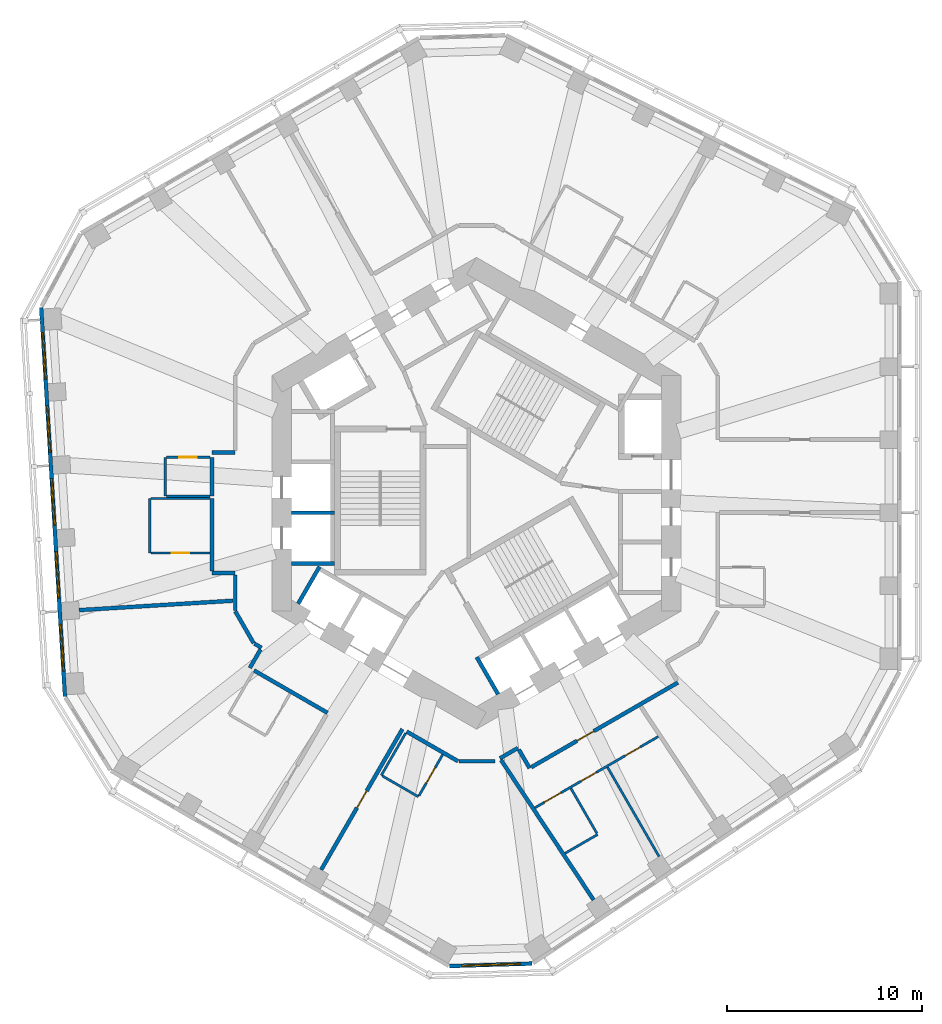
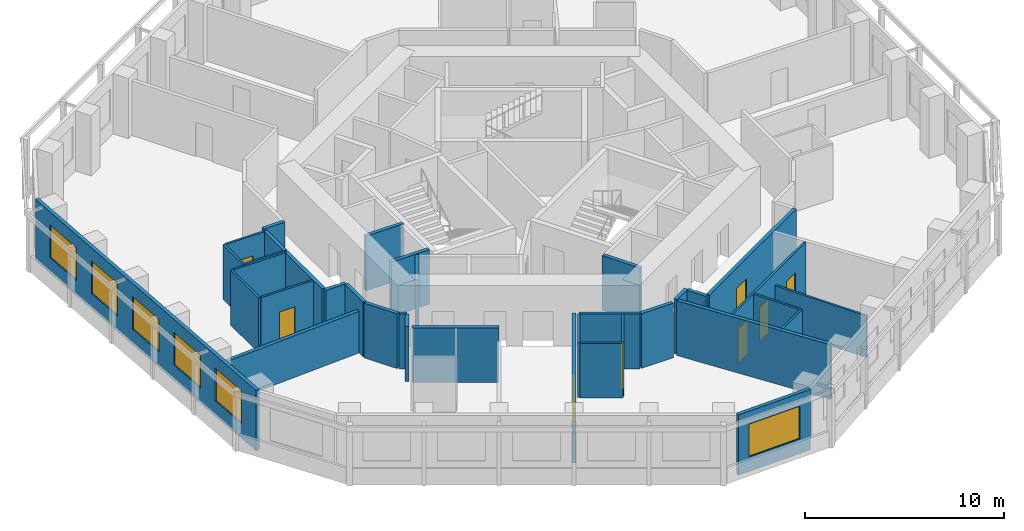
# One storey, part 4 of 11: 36 walls, 8 doors, 6 windows, 14 openings.
"""IFC4 building model written with IfcOpenShell, lengths in metres."""

from ifc_helpers import new_model, si_unit, direction, frame, frame_2d, origin, place, context, subcontext, project, spatial, rectangle, extrude, material, layer, layer_set, type_object, element, fill, save


model = new_model("IFC4")

# Units and contexts
model_context = context("Model", 3, precision=1e-05, world=origin(), true_north=direction((0.0, 1.0)))
body_context = subcontext(model_context, "Body", "Model", "MODEL_VIEW")
ifc_project = project(units=[si_unit("LENGTHUNIT", "METRE"), si_unit("AREAUNIT", "SQUARE_METRE"), si_unit("VOLUMEUNIT", "CUBIC_METRE"), si_unit("PLANEANGLEUNIT", "RADIAN"), si_unit("MASSUNIT", "GRAM", prefix="KILO")], contexts=[model_context])

# Site, building, storey
site_placement = place(None, origin())
site = spatial("IfcSite", under=ifc_project, at=site_placement, CompositionType="ELEMENT")
building_placement = place(site_placement, origin())
building = spatial("IfcBuilding", under=site, at=building_placement, Name="Vanh Sen Convention Tower", CompositionType="ELEMENT")
storey_placement = place(building_placement, frame((0.0, 0.0, 202.10009765625)))
storey = spatial("IfcBuildingStorey", under=building, at=storey_placement, Name="L50", CompositionType="ELEMENT", Elevation=202.10009765625)

# Walls
ifc_material_1 = material(Name="Moisture-resistant gypsum board on steel studs", Category="steel")
ifc_layer_1 = layer(ifc_material_1, 0.1201171875)
ifc_layer_set_1 = layer_set([ifc_layer_1], Name="Moisture-resistant gypsum board on steel studs")
wall_type_1 = type_object("IfcWallType", Name="Bathroom partition 120", PredefinedType="PARTITIONING", material=ifc_layer_set_1)
wall_1_placement = place(storey_placement, frame((-16.801025390625, -3.069091796875, 0.0), z_axis=(0.0, 0.0, 1.0), x_axis=(0.0, 1.0, 0.0)))
element("IfcWall", 1, at=wall_1_placement, inside=storey, type_object=wall_type_1, Name="Bathroom partition 120", PredefinedType="PARTITIONING", context=body_context, shape_type="SweptSolid", body=[
    extrude(rectangle(XDim=2.800048828125, YDim=0.1201171875, at=frame_2d((1.39990234375, 0.0))), origin(), (0.0, 0.0, 1.0), 3.349853515625),
])
wall_2_placement = place(storey_placement, frame((-16.740966796875, -0.26904296875, 0.0), z_axis=(0.0, 0.0, 1.0), x_axis=(1.0, 0.0, 0.0)))
element("IfcWall", 2, at=wall_2_placement, inside=storey, type_object=wall_type_1, Name="Bathroom partition 120", PredefinedType="PARTITIONING", context=body_context, shape_type="SweptSolid", body=[
    extrude(rectangle(XDim=3.0400390625, YDim=0.1201171875, at=frame_2d((1.52001953125, 0.0))), origin(), (0.0, 0.0, 1.0), 3.349853515625),
])
wall_3_placement = place(storey_placement, frame((-16.0009765625, -0.14892578125, 0.0), z_axis=(0.0, 0.0, 1.0), x_axis=(0.0, 1.0, 0.0)))
element("IfcWall", 3, at=wall_3_placement, inside=storey, type_object=wall_type_1, Name="Bathroom partition 120", PredefinedType="PARTITIONING", context=body_context, shape_type="SweptSolid", body=[
    extrude(rectangle(XDim=2.0, YDim=0.1201171875, at=frame_2d((1.0, 0.0))), origin(), (0.0, 0.0, 1.0), 3.349853515625),
])

# Wall, opening, door
wall_4_placement = place(storey_placement, frame((-15.94091796875, 1.85107421875, 0.0), z_axis=(0.0, 0.0, 1.0), x_axis=(1.0, 0.0, 0.0)))
wall_4 = element("IfcWall", 4, at=wall_4_placement, inside=storey, type_object=wall_type_1, Name="Bathroom partition 120", PredefinedType="PARTITIONING", context=body_context, shape_type="SweptSolid", body=[
    extrude(rectangle(XDim=2.239990234375, YDim=0.1201171875, at=frame_2d((1.1201171875, 0.0))), origin(), (0.0, 0.0, 1.0), 3.349853515625),
])
opening_1_placement = place(wall_4_placement, frame((0.669921875, 0.0, 0.0)))
opening_1 = element("IfcOpeningElement", 5, at=opening_1_placement, cuts=wall_4, Name="Opening D49108", PredefinedType="OPENING", context=body_context, shape_type="SweptSolid", body=[
    extrude(rectangle(XDim=0.89990234375, YDim=2.10009765625, at=frame_2d((0.449951171875, 1.050048828125))), frame((0.0, 0.070068359375, 0.0), z_axis=(0.0, -1.0, 0.0), x_axis=(1.0, 0.0, 0.0)), (0.0, 0.0, 1.0), 0.14013671875),
])
ifc_material_2 = material(Name="Laminate door in steel frame", Category="steel")
door_type_1 = type_object("IfcDoorType", Name="Room internal door 900", OperationType="SINGLE_SWING_LEFT", PredefinedType="DOOR", material=ifc_material_2)
door_1_placement = place(opening_1_placement, origin())
door_1 = element("IfcDoor", 6, at=door_1_placement, inside=storey, type_object=door_type_1, Name="Internal room door D49108", OperationType="SINGLE_SWING_LEFT", OverallHeight=2.10009765625, OverallWidth=0.89990234375, PredefinedType="DOOR", context=body_context, shape_type="SweptSolid", body=[
    extrude(rectangle(XDim=0.89990234375, YDim=2.10009765625, at=frame_2d((0.449951171875, 1.050048828125))), frame((0.0, 0.02490234375, 0.0), z_axis=(0.0, -1.0, 0.0), x_axis=(1.0, 0.0, 0.0)), (0.0, 0.0, 1.0), 0.050048828125),
])
fill(opening_1, door_1)

wall_5_placement = place(storey_placement, frame((-13.700927734375, -3.069091796875, 0.0), z_axis=(0.0, 0.0, 1.0), x_axis=(-1.0, 0.0, 0.0)))
wall_5 = element("IfcWall", 7, at=wall_5_placement, inside=storey, type_object=wall_type_1, Name="Bathroom partition 120", PredefinedType="PARTITIONING", context=body_context, shape_type="SweptSolid", body=[
    extrude(rectangle(XDim=3.0400390625, YDim=0.1201171875, at=frame_2d((1.52001953125, 0.0))), origin(), (0.0, 0.0, 1.0), 3.349853515625),
])
opening_2_placement = place(wall_5_placement, frame((1.070068359375, 0.0, 0.0)))
opening_2 = element("IfcOpeningElement", 8, at=opening_2_placement, cuts=wall_5, Name="Opening D49109", PredefinedType="OPENING", context=body_context, shape_type="SweptSolid", body=[
    extrude(rectangle(XDim=0.89990234375, YDim=2.10009765625, at=frame_2d((0.449951171875, 1.050048828125))), frame((0.0, 0.070068359375, 0.0), z_axis=(0.0, -1.0, 0.0), x_axis=(1.0, 0.0, 0.0)), (0.0, 0.0, 1.0), 0.14013671875),
])
door_2_placement = place(opening_2_placement, origin())
door_2 = element("IfcDoor", 9, at=door_2_placement, inside=storey, type_object=door_type_1, Name="Internal room door D49109", OperationType="SINGLE_SWING_LEFT", OverallHeight=2.10009765625, OverallWidth=0.89990234375, PredefinedType="DOOR", context=body_context, shape_type="SweptSolid", body=[
    extrude(rectangle(XDim=0.89990234375, YDim=2.10009765625, at=frame_2d((0.449951171875, 1.050048828125))), frame((0.0, 0.02490234375, 0.0), z_axis=(0.0, -1.0, 0.0), x_axis=(1.0, 0.0, 0.0)), (0.0, 0.0, 1.0), 0.050048828125),
])
fill(opening_2, door_2)

# Walls
wall_6_placement = place(storey_placement, frame((-13.700927734375, -0.14892578125, 0.0), z_axis=(0.0, 0.0, 1.0), x_axis=(-1.0, 0.0, 0.0)))
element("IfcWall", 10, at=wall_6_placement, inside=storey, type_object=wall_type_1, Name="Bathroom partition 120", PredefinedType="PARTITIONING", context=body_context, shape_type="SweptSolid", body=[
    extrude(rectangle(XDim=2.239990234375, YDim=0.1201171875, at=frame_2d((1.1201171875, 0.0))), origin(), (0.0, 0.0, 1.0), 3.349853515625),
])
wall_7_placement = place(storey_placement, frame((-4.89208984375, -14.49609375, 0.0), z_axis=(0.0, 0.0, 1.0), x_axis=(0.500004234368, 0.866022959057, 0.0)))
element("IfcWall", 11, at=wall_7_placement, inside=storey, type_object=wall_type_1, Name="Bathroom partition 120", PredefinedType="PARTITIONING", context=body_context, shape_type="SweptSolid", body=[
    extrude(rectangle(XDim=2.5, YDim=0.1201171875, at=frame_2d((1.25, 0.0))), origin(), (0.0, 0.0, 1.0), 3.349853515625),
])
wall_8_placement = place(storey_placement, frame((-2.98681640625, -15.59619140625, 0.0), z_axis=(0.0, 0.0, 1.0), x_axis=(-0.86600889856, 0.500028586798, 0.0)))
element("IfcWall", 12, at=wall_8_placement, inside=storey, type_object=wall_type_1, Name="Bathroom partition 120", PredefinedType="PARTITIONING", context=body_context, shape_type="SweptSolid", body=[
    extrude(rectangle(XDim=2.139892578125, YDim=0.1201171875, at=frame_2d((1.06982421875, 0.0))), origin(), (0.0, 0.0, 1.0), 3.349853515625),
])

# Wall, opening, door
wall_9_placement = place(storey_placement, frame((-1.73681640625, -13.430908203125, 0.0), z_axis=(0.0, 0.0, 1.0), x_axis=(-0.499959183527, -0.866048967903, 0.0)))
wall_9 = element("IfcWall", 13, at=wall_9_placement, inside=storey, type_object=wall_type_1, Name="Bathroom partition 120", PredefinedType="PARTITIONING", context=body_context, shape_type="SweptSolid", body=[
    extrude(rectangle(XDim=2.440185546875, YDim=0.1201171875, at=frame_2d((1.22021484375, 0.0))), origin(), (0.0, 0.0, 1.0), 3.349853515625),
])
opening_3_placement = place(wall_9_placement, frame((0.77001953125, 0.0, 0.0)))
opening_3 = element("IfcOpeningElement", 14, at=opening_3_placement, cuts=wall_9, Name="Opening D49113", PredefinedType="OPENING", context=body_context, shape_type="SweptSolid", body=[
    extrude(rectangle(XDim=0.89990234375, YDim=2.10009765625, at=frame_2d((0.449951171875, 1.050048828125))), frame((0.0, 0.070068359375, 0.0), z_axis=(0.0, -1.0, 0.0), x_axis=(1.0, 0.0, 0.0)), (0.0, 0.0, 1.0), 0.14013671875),
])
door_3_placement = place(opening_3_placement, origin())
door_3 = element("IfcDoor", 15, at=door_3_placement, inside=storey, type_object=door_type_1, Name="Internal room door D49113", OperationType="SINGLE_SWING_LEFT", OverallHeight=2.10009765625, OverallWidth=0.89990234375, PredefinedType="DOOR", context=body_context, shape_type="SweptSolid", body=[
    extrude(rectangle(XDim=0.89990234375, YDim=2.10009765625, at=frame_2d((0.449951171875, 1.050048828125))), frame((0.0, 0.02490234375, 0.0), z_axis=(0.0, -1.0, 0.0), x_axis=(1.0, 0.0, 0.0)), (0.0, 0.0, 1.0), 0.050048828125),
])
fill(opening_3, door_3)

# Wall, openings, doors
wall_10_placement = place(storey_placement, frame((3.005126953125, -16.1640625, 0.0), z_axis=(0.0, 0.0, 1.0), x_axis=(0.866018452427, 0.500012039911, 0.0)))
wall_10 = element("IfcWall", 16, at=wall_10_placement, inside=storey, type_object=wall_type_1, Name="Bathroom partition 120", PredefinedType="PARTITIONING", context=body_context, shape_type="SweptSolid", body=[
    extrude(rectangle(XDim=7.322021484375, YDim=0.1201171875, at=frame_2d((3.6611328125, 0.0))), origin(), (0.0, 0.0, 1.0), 3.349853515625),
])
opening_4_placement = place(wall_10_placement, frame((0.550048828125, 0.0, 0.0)))
opening_4 = element("IfcOpeningElement", 17, at=opening_4_placement, cuts=wall_10, Name="Opening D49115", PredefinedType="OPENING", context=body_context, shape_type="SweptSolid", body=[
    extrude(rectangle(XDim=1.0, YDim=2.10009765625, at=frame_2d((0.5, 1.050048828125))), frame((0.0, 0.070068359375, 0.0), z_axis=(0.0, -1.0, 0.0), x_axis=(1.0, 0.0, 0.0)), (0.0, 0.0, 1.0), 0.14013671875),
])
opening_5_placement = place(wall_10_placement, frame((2.735595703125, 0.0, 0.0)))
opening_5 = element("IfcOpeningElement", 18, at=opening_5_placement, cuts=wall_10, Name="Opening D49116", PredefinedType="OPENING", context=body_context, shape_type="SweptSolid", body=[
    extrude(rectangle(XDim=0.89990234375, YDim=2.10009765625, at=frame_2d((0.449951171875, 1.050048828125))), frame((0.0, 0.070068359375, 0.0), z_axis=(0.0, -1.0, 0.0), x_axis=(1.0, 0.0, 0.0)), (0.0, 0.0, 1.0), 0.14013671875),
])
opening_6_placement = place(wall_10_placement, frame((5.3466796875, 0.0, 0.0)))
opening_6 = element("IfcOpeningElement", 19, at=opening_6_placement, cuts=wall_10, Name="Opening D49117", PredefinedType="OPENING", context=body_context, shape_type="SweptSolid", body=[
    extrude(rectangle(XDim=0.89990234375, YDim=2.10009765625, at=frame_2d((0.449951171875, 1.050048828125))), frame((0.0, 0.070068359375, 0.0), z_axis=(0.0, -1.0, 0.0), x_axis=(1.0, 0.0, 0.0)), (0.0, 0.0, 1.0), 0.14013671875),
])
door_type_2 = type_object("IfcDoorType", Name="Accessible WC door 1000", OperationType="SINGLE_SWING_LEFT", PredefinedType="DOOR", material=ifc_material_2)
door_4_placement = place(opening_4_placement, origin())
door_4 = element("IfcDoor", 20, at=door_4_placement, inside=storey, type_object=door_type_2, Name="Accessible WC door D49115", OperationType="SINGLE_SWING_LEFT", OverallHeight=2.10009765625, OverallWidth=1.0, PredefinedType="DOOR", context=body_context, shape_type="SweptSolid", body=[
    extrude(rectangle(XDim=1.0, YDim=2.10009765625, at=frame_2d((0.5, 1.050048828125))), frame((0.0, 0.02490234375, 0.0), z_axis=(0.0, -1.0, 0.0), x_axis=(1.0, 0.0, 0.0)), (0.0, 0.0, 1.0), 0.050048828125),
])
fill(opening_4, door_4)
door_5_placement = place(opening_5_placement, origin())
door_5 = element("IfcDoor", 21, at=door_5_placement, inside=storey, type_object=door_type_1, Name="Internal room door D49116", OperationType="SINGLE_SWING_LEFT", OverallHeight=2.10009765625, OverallWidth=0.89990234375, PredefinedType="DOOR", context=body_context, shape_type="SweptSolid", body=[
    extrude(rectangle(XDim=0.89990234375, YDim=2.10009765625, at=frame_2d((0.449951171875, 1.050048828125))), frame((0.0, 0.02490234375, 0.0), z_axis=(0.0, -1.0, 0.0), x_axis=(1.0, 0.0, 0.0)), (0.0, 0.0, 1.0), 0.050048828125),
])
fill(opening_5, door_5)
door_6_placement = place(opening_6_placement, origin())
door_6 = element("IfcDoor", 22, at=door_6_placement, inside=storey, type_object=door_type_1, Name="Internal room door D49117", OperationType="SINGLE_SWING_LEFT", OverallHeight=2.10009765625, OverallWidth=0.89990234375, PredefinedType="DOOR", context=body_context, shape_type="SweptSolid", body=[
    extrude(rectangle(XDim=0.89990234375, YDim=2.10009765625, at=frame_2d((0.449951171875, 1.050048828125))), frame((0.0, 0.02490234375, 0.0), z_axis=(0.0, -1.0, 0.0), x_axis=(1.0, 0.0, 0.0)), (0.0, 0.0, 1.0), 0.050048828125),
])
fill(opening_6, door_6)

# Walls
wall_11_placement = place(storey_placement, frame((4.553466796875, -18.50341796875, 0.0), z_axis=(0.0, 0.0, 1.0), x_axis=(0.865951573249, 0.50012785644, 0.0)))
element("IfcWall", 23, at=wall_11_placement, inside=storey, type_object=wall_type_1, Name="Bathroom partition 120", PredefinedType="PARTITIONING", context=body_context, shape_type="SweptSolid", body=[
    extrude(rectangle(XDim=1.9287109375, YDim=0.1201171875, at=frame_2d((0.96435546875, 0.0))), origin(), (0.0, 0.0, 1.0), 3.349853515625),
])
wall_12_placement = place(storey_placement, frame((6.193603515625, -17.48681640625, 0.0), z_axis=(0.0, 0.0, 1.0), x_axis=(-0.499980071345, 0.866036909293, 0.0)))
element("IfcWall", 24, at=wall_12_placement, inside=storey, type_object=wall_type_1, Name="Bathroom partition 120", PredefinedType="PARTITIONING", context=body_context, shape_type="SweptSolid", body=[
    extrude(rectangle(XDim=2.6796875, YDim=0.1201171875, at=frame_2d((1.33984375, 0.0))), origin(), (0.0, 0.0, 1.0), 3.349853515625),
])
wall_13_placement = place(storey_placement, frame((9.385009765625, -18.671630859375, 0.0), z_axis=(0.0, 0.0, 1.0), x_axis=(-0.500012117035, 0.866018407898, 0.0)))
element("IfcWall", 25, at=wall_13_placement, inside=storey, type_object=wall_type_1, Name="Bathroom partition 120", PredefinedType="PARTITIONING", context=body_context, shape_type="SweptSolid", body=[
    extrude(rectangle(XDim=5.301513671875, YDim=0.1201171875, at=frame_2d((2.65087890625, 0.0))), origin(), (0.0, 0.0, 1.0), 2.5498046875),
])
ifc_material_3 = material(Name="Gypsum board on steel studs with mineral wool", Category="steel")
ifc_layer_2 = layer(ifc_material_3, 0.199951171875)
ifc_layer_set_2 = layer_set([ifc_layer_2], Name="Gypsum board on steel studs with mineral wool")
wall_type_2 = type_object("IfcWallType", Name="Corridor partition wall 200", PredefinedType="PARTITIONING", material=ifc_layer_set_2)
wall_14_placement = place(storey_placement, frame((-13.60107421875, -4.10107421875, 0.0), z_axis=(0.0, 0.0, 1.0), x_axis=(1.0, 0.0, 0.0)))
element("IfcWall", 26, at=wall_14_placement, inside=storey, type_object=wall_type_2, Name="Corridor partition wall 200", PredefinedType="PARTITIONING", context=body_context, shape_type="SweptSolid", body=[
    extrude(rectangle(XDim=1.201171875, YDim=0.199951171875, at=frame_2d((0.6005859375, 0.0))), origin(), (0.0, 0.0, 1.0), 3.349853515625),
])
wall_15_placement = place(storey_placement, frame((-13.60107421875, -0.26904296875, 0.0), z_axis=(0.0, 0.0, 1.0), x_axis=(0.0, -1.0, 0.0)))
element("IfcWall", 27, at=wall_15_placement, inside=storey, type_object=wall_type_2, Name="Corridor partition wall 200", PredefinedType="PARTITIONING", context=body_context, shape_type="SweptSolid", body=[
    extrude(rectangle(XDim=3.73193359375, YDim=0.199951171875, at=frame_2d((1.865966796875, 0.0))), origin(), (0.0, 0.0, 1.0), 3.349853515625),
])
wall_16_placement = place(storey_placement, frame((-13.60107421875, 1.85107421875, 0.0), z_axis=(0.0, 0.0, 1.0), x_axis=(0.0, -1.0, 0.0)))
element("IfcWall", 28, at=wall_16_placement, inside=storey, type_object=wall_type_2, Name="Corridor partition wall 200", PredefinedType="PARTITIONING", context=body_context, shape_type="SweptSolid", body=[
    extrude(rectangle(XDim=2.0, YDim=0.199951171875, at=frame_2d((1.0, 0.0))), origin(), (0.0, 0.0, 1.0), 3.349853515625),
])
wall_17_placement = place(storey_placement, frame((-12.39990234375, -6.062255859375, 0.0), z_axis=(0.0, 0.0, 1.0), x_axis=(0.500022797313, -0.86601224135, 0.0)))
element("IfcWall", 29, at=wall_17_placement, inside=storey, type_object=wall_type_2, Name="Corridor partition wall 200", PredefinedType="PARTITIONING", context=body_context, shape_type="SweptSolid", body=[
    extrude(rectangle(XDim=1.89990234375, YDim=0.199951171875, at=frame_2d((0.949951171875, 0.0))), origin(), (0.0, 0.0, 1.0), 3.349853515625),
])
wall_18_placement = place(storey_placement, frame((-12.39990234375, -4.200927734375, 0.0), z_axis=(0.0, 0.0, 1.0), x_axis=(0.0, -1.0, 0.0)))
element("IfcWall", 30, at=wall_18_placement, inside=storey, type_object=wall_type_2, Name="Corridor partition wall 200", PredefinedType="PARTITIONING", context=body_context, shape_type="SweptSolid", body=[
    extrude(rectangle(XDim=1.8212890625, YDim=0.199951171875, at=frame_2d((0.91064453125, 0.0))), origin(), (0.0, 0.0, 1.0), 3.349853515625),
])
wall_19_placement = place(storey_placement, frame((-12.39990234375, 2.10107421875, 0.0), z_axis=(0.0, 0.0, 1.0), x_axis=(-1.0, 0.0, 0.0)))
element("IfcWall", 31, at=wall_19_placement, inside=storey, type_object=wall_type_2, Name="Corridor partition wall 200", PredefinedType="PARTITIONING", context=body_context, shape_type="SweptSolid", body=[
    extrude(rectangle(XDim=1.201171875, YDim=0.199951171875, at=frame_2d((0.6005859375, 0.0))), origin(), (0.0, 0.0, 1.0), 3.349853515625),
])
wall_20_placement = place(storey_placement, frame((-11.4345703125, -9.103271484375, 0.0), z_axis=(0.0, 0.0, 1.0), x_axis=(0.866007399799, -0.500031182522, 0.0)))
element("IfcWall", 32, at=wall_20_placement, inside=storey, type_object=wall_type_2, Name="Corridor partition wall 200", PredefinedType="PARTITIONING", context=body_context, shape_type="SweptSolid", body=[
    extrude(rectangle(XDim=4.358154296875, YDim=0.199951171875, at=frame_2d((2.17919921875, 0.0))), origin(), (0.0, 0.0, 1.0), 3.349853515625),
])
wall_21_placement = place(storey_placement, frame((-11.415283203125, -7.7275390625, 0.0), z_axis=(0.0, 0.0, 1.0), x_axis=(0.865915281873, -0.500190688257, 0.0)))
element("IfcWall", 33, at=wall_21_placement, inside=storey, type_object=wall_type_2, Name="Corridor partition wall 200", PredefinedType="PARTITIONING", context=body_context, shape_type="SweptSolid", body=[
    extrude(rectangle(XDim=0.421142578125, YDim=0.199951171875, at=frame_2d((0.21044921875, 0.0))), origin(), (0.0, 0.0, 1.0), 3.349853515625),
])
wall_22_placement = place(storey_placement, frame((-11.1005859375, -8.02490234375, 0.0), z_axis=(0.0, 0.0, 1.0), x_axis=(-0.500074377092, -0.865982457891, 0.0)))
element("IfcWall", 34, at=wall_22_placement, inside=storey, type_object=wall_type_2, Name="Corridor partition wall 200", PredefinedType="PARTITIONING", context=body_context, shape_type="SweptSolid", body=[
    extrude(rectangle(XDim=1.100830078125, YDim=0.199951171875, at=frame_2d((0.55029296875, 0.0))), origin(), (0.0, 0.0, 1.0), 3.349853515625),
])

# Wall, opening, door
wall_23_placement = place(storey_placement, frame((-7.983642578125, -19.3505859375, 0.0), z_axis=(0.0, 0.0, 1.0), x_axis=(0.500010139422, 0.866019549707, 0.0)))
wall_23 = element("IfcWall", 35, at=wall_23_placement, inside=storey, type_object=wall_type_2, Name="Corridor partition wall 200", PredefinedType="PARTITIONING", context=body_context, shape_type="SweptSolid", body=[
    extrude(rectangle(XDim=8.349853515625, YDim=0.199951171875, at=frame_2d((4.1748046875, 0.0))), origin(), (0.0, 0.0, 1.0), 3.349853515625),
])
opening_7_placement = place(wall_23_placement, frame((3.675048828125, 0.0, 0.0)))
opening_7 = element("IfcOpeningElement", 36, at=opening_7_placement, cuts=wall_23, Name="Opening D49112", PredefinedType="OPENING", context=body_context, shape_type="SweptSolid", body=[
    extrude(rectangle(XDim=1.0, YDim=2.10009765625, at=frame_2d((0.5, 1.050048828125))), frame((0.0, 0.10986328125, 0.0), z_axis=(0.0, -1.0, 0.0), x_axis=(1.0, 0.0, 0.0)), (0.0, 0.0, 1.0), 0.219970703125),
])
ifc_material_4 = material(Name="Glazed fire door in steel frame", Category="steel")
door_type_3 = type_object("IfcDoorType", Name="Tenant entrance door 1000", OperationType="SINGLE_SWING_LEFT", PredefinedType="DOOR", material=ifc_material_4)
door_7_placement = place(opening_7_placement, origin())
door_7 = element("IfcDoor", 37, at=door_7_placement, inside=storey, type_object=door_type_3, Name="Tenant suite entrance door D49112", OperationType="SINGLE_SWING_LEFT", OverallHeight=2.10009765625, OverallWidth=1.0, PredefinedType="DOOR", context=body_context, shape_type="SweptSolid", body=[
    extrude(rectangle(XDim=1.0, YDim=2.10009765625, at=frame_2d((0.5, 1.050048828125))), frame((0.0, 0.02490234375, 0.0), z_axis=(0.0, -1.0, 0.0), x_axis=(1.0, 0.0, 0.0)), (0.0, 0.0, 1.0), 0.050048828125),
])
fill(opening_7, door_7)

# Walls
wall_24_placement = place(storey_placement, frame((-3.592041015625, -12.244384765625, 0.0), z_axis=(0.0, 0.0, 1.0), x_axis=(0.866028335764, -0.499994921628, 0.0)))
element("IfcWall", 38, at=wall_24_placement, inside=storey, type_object=wall_type_2, Name="Corridor partition wall 200", PredefinedType="PARTITIONING", context=body_context, shape_type="SweptSolid", body=[
    extrude(rectangle(XDim=3.05078125, YDim=0.199951171875, at=frame_2d((1.525390625, 0.0))), origin(), (0.0, 0.0, 1.0), 3.349853515625),
])
wall_25_placement = place(storey_placement, frame((-0.909912109375, -13.769775390625, 0.0), z_axis=(0.0, 0.0, 1.0), x_axis=(1.0, 0.0, 0.0)))
element("IfcWall", 39, at=wall_25_placement, inside=storey, type_object=wall_type_2, Name="Corridor partition wall 200", PredefinedType="PARTITIONING", context=body_context, shape_type="SweptSolid", body=[
    extrude(rectangle(XDim=1.85986328125, YDim=0.199951171875, at=frame_2d((0.929931640625, 0.0))), origin(), (0.0, 0.0, 1.0), 3.349853515625),
])
wall_26_placement = place(storey_placement, frame((1.20361328125, -13.623291015625, 0.0), z_axis=(0.0, 0.0, 1.0), x_axis=(0.866040989419, 0.499973003918, 0.0)))
element("IfcWall", 40, at=wall_26_placement, inside=storey, type_object=wall_type_2, Name="Corridor partition wall 200", PredefinedType="PARTITIONING", context=body_context, shape_type="SweptSolid", body=[
    extrude(rectangle(XDim=1.068359375, YDim=0.199951171875, at=frame_2d((0.5341796875, 0.0))), origin(), (0.0, 0.0, 1.0), 3.349853515625),
])
wall_27_placement = place(storey_placement, frame((2.1787109375, -13.17578125, 0.0), z_axis=(0.0, 0.0, 1.0), x_axis=(0.499978356969, -0.866037899034, 0.0)))
element("IfcWall", 41, at=wall_27_placement, inside=storey, type_object=wall_type_2, Name="Corridor partition wall 200", PredefinedType="PARTITIONING", context=body_context, shape_type="SweptSolid", body=[
    extrude(rectangle(XDim=1.10107421875, YDim=0.199951171875, at=frame_2d((0.550537109375, 0.0))), origin(), (0.0, 0.0, 1.0), 3.349853515625),
])

# Wall, opening, door
wall_28_placement = place(storey_placement, frame((2.81591796875, -14.079345703125, 0.0), z_axis=(0.0, 0.0, 1.0), x_axis=(0.866021128829, 0.500007404367, 0.0)))
wall_28 = element("IfcWall", 42, at=wall_28_placement, inside=storey, type_object=wall_type_2, Name="Corridor partition wall 200", PredefinedType="PARTITIONING", context=body_context, shape_type="SweptSolid", body=[
    extrude(rectangle(XDim=8.701904296875, YDim=0.199951171875, at=frame_2d((4.35107421875, 0.0))), origin(), (0.0, 0.0, 1.0), 3.349853515625),
])
opening_8_placement = place(wall_28_placement, frame((2.7138671875, 0.0, 0.0)))
opening_8 = element("IfcOpeningElement", 43, at=opening_8_placement, cuts=wall_28, Name="Opening D49114", PredefinedType="OPENING", context=body_context, shape_type="SweptSolid", body=[
    extrude(rectangle(XDim=1.0, YDim=2.10009765625, at=frame_2d((0.5, 1.050048828125))), frame((0.0, 0.10986328125, 0.0), z_axis=(0.0, -1.0, 0.0), x_axis=(1.0, 0.0, 0.0)), (0.0, 0.0, 1.0), 0.219970703125),
])
ifc_material_5 = material(Name="Timber fire door in steel frame", Category="steel")
door_type_4 = type_object("IfcDoorType", Name="Floor room door 1000", OperationType="SINGLE_SWING_LEFT", PredefinedType="DOOR", material=ifc_material_5)
door_8_placement = place(opening_8_placement, origin())
door_8 = element("IfcDoor", 44, at=door_8_placement, inside=storey, type_object=door_type_4, Name="Meeting and amenity room door D49114", OperationType="SINGLE_SWING_LEFT", OverallHeight=2.10009765625, OverallWidth=1.0, PredefinedType="DOOR", context=body_context, shape_type="SweptSolid", body=[
    extrude(rectangle(XDim=1.0, YDim=2.10009765625, at=frame_2d((0.5, 1.050048828125))), frame((0.0, 0.02490234375, 0.0), z_axis=(0.0, -1.0, 0.0), x_axis=(1.0, 0.0, 0.0)), (0.0, 0.0, 1.0), 0.050048828125),
])
fill(opening_8, door_8)

# Wall, openings, windows
ifc_material_6 = material(Name="Insulated lightweight infill wall")
ifc_layer_3 = layer(ifc_material_6, 0.199951171875)
ifc_layer_set_3 = layer_set([ifc_layer_3], Name="Insulated lightweight infill wall")
wall_type_3 = type_object("IfcWallType", Name="External wall 200", PredefinedType="STANDARD", material=ifc_layer_set_3)
wall_29_placement = place(storey_placement, frame((-22.375, 9.55712890625, 0.0), z_axis=(0.0, 0.0, 1.0), x_axis=(0.061036015339, -0.998135564356, 0.0)))
wall_29 = element("IfcWall", 45, at=wall_29_placement, inside=storey, type_object=wall_type_3, Name="External wall W L50", PredefinedType="STANDARD", context=body_context, shape_type="SweptSolid", body=[
    extrude(rectangle(XDim=20.043701171875, YDim=0.199951171875, at=frame_2d((10.02197265625, 0.0))), origin(), (0.0, 0.0, 1.0), 3.699951171875),
])
opening_9_placement = place(wall_29_placement, frame((1.312744140625, 0.0, 0.89990234375)))
opening_9 = element("IfcOpeningElement", 46, at=opening_9_placement, cuts=wall_29, Name="Opening WO1-W1", PredefinedType="OPENING", context=body_context, shape_type="SweptSolid", body=[
    extrude(rectangle(XDim=2.39990234375, YDim=2.0, at=frame_2d((1.199951171875, 1.0))), frame((0.0, 0.10986328125, 0.0), z_axis=(0.0, -1.0, 0.0), x_axis=(1.0, 0.0, 0.0)), (0.0, 0.0, 1.0), 0.219970703125),
])
opening_10_placement = place(wall_29_placement, frame((5.06689453125, 0.0, 0.89990234375)))
opening_10 = element("IfcOpeningElement", 47, at=opening_10_placement, cuts=wall_29, Name="Opening WO1-W2", PredefinedType="OPENING", context=body_context, shape_type="SweptSolid", body=[
    extrude(rectangle(XDim=2.39990234375, YDim=2.0, at=frame_2d((1.199951171875, 1.0))), frame((0.0, 0.10986328125, 0.0), z_axis=(0.0, -1.0, 0.0), x_axis=(1.0, 0.0, 0.0)), (0.0, 0.0, 1.0), 0.219970703125),
])
opening_11_placement = place(wall_29_placement, frame((8.821044921875, 0.0, 0.89990234375)))
opening_11 = element("IfcOpeningElement", 48, at=opening_11_placement, cuts=wall_29, Name="Opening WO1-W3", PredefinedType="OPENING", context=body_context, shape_type="SweptSolid", body=[
    extrude(rectangle(XDim=2.39990234375, YDim=2.0, at=frame_2d((1.199951171875, 1.0))), frame((0.0, 0.10986328125, 0.0), z_axis=(0.0, -1.0, 0.0), x_axis=(1.0, 0.0, 0.0)), (0.0, 0.0, 1.0), 0.219970703125),
])
opening_12_placement = place(wall_29_placement, frame((12.5751953125, 0.0, 0.89990234375)))
opening_12 = element("IfcOpeningElement", 49, at=opening_12_placement, cuts=wall_29, Name="Opening WO1-W4", PredefinedType="OPENING", context=body_context, shape_type="SweptSolid", body=[
    extrude(rectangle(XDim=2.39990234375, YDim=2.0, at=frame_2d((1.199951171875, 1.0))), frame((0.0, 0.10986328125, 0.0), z_axis=(0.0, -1.0, 0.0), x_axis=(1.0, 0.0, 0.0)), (0.0, 0.0, 1.0), 0.219970703125),
])
opening_13_placement = place(wall_29_placement, frame((16.329345703125, 0.0, 0.89990234375)))
opening_13 = element("IfcOpeningElement", 50, at=opening_13_placement, cuts=wall_29, Name="Opening WO1-W5", PredefinedType="OPENING", context=body_context, shape_type="SweptSolid", body=[
    extrude(rectangle(XDim=2.39990234375, YDim=2.0, at=frame_2d((1.199951171875, 1.0))), frame((0.0, 0.10986328125, 0.0), z_axis=(0.0, -1.0, 0.0), x_axis=(1.0, 0.0, 0.0)), (0.0, 0.0, 1.0), 0.219970703125),
])
ifc_material_7 = material(Name="Aluminium frame with clear low-emissivity glass", Category="aluminium")
window_type_1 = type_object("IfcWindowType", Name="Office window 2400 x 2000", PartitioningType="SINGLE_PANEL", PredefinedType="WINDOW", material=ifc_material_7)
window_1_placement = place(opening_9_placement, origin())
window_1 = element("IfcWindow", 51, at=window_1_placement, inside=storey, type_object=window_type_1, Name="Window WO1-W1", OverallHeight=2.0, OverallWidth=2.39990234375, PartitioningType="SINGLE_PANEL", PredefinedType="WINDOW", context=body_context, shape_type="SweptSolid", body=[
    extrude(rectangle(XDim=2.39990234375, YDim=2.0, at=frame_2d((1.199951171875, 1.0))), frame((0.0, 0.030029296875, 0.0), z_axis=(0.0, -1.0, 0.0), x_axis=(1.0, 0.0, 0.0)), (0.0, 0.0, 1.0), 0.06005859375),
])
fill(opening_9, window_1)
window_2_placement = place(opening_10_placement, origin())
window_2 = element("IfcWindow", 52, at=window_2_placement, inside=storey, type_object=window_type_1, Name="Window WO1-W2", OverallHeight=2.0, OverallWidth=2.39990234375, PartitioningType="SINGLE_PANEL", PredefinedType="WINDOW", context=body_context, shape_type="SweptSolid", body=[
    extrude(rectangle(XDim=2.39990234375, YDim=2.0, at=frame_2d((1.199951171875, 1.0))), frame((0.0, 0.030029296875, 0.0), z_axis=(0.0, -1.0, 0.0), x_axis=(1.0, 0.0, 0.0)), (0.0, 0.0, 1.0), 0.06005859375),
])
fill(opening_10, window_2)
window_3_placement = place(opening_11_placement, origin())
window_3 = element("IfcWindow", 53, at=window_3_placement, inside=storey, type_object=window_type_1, Name="Window WO1-W3", OverallHeight=2.0, OverallWidth=2.39990234375, PartitioningType="SINGLE_PANEL", PredefinedType="WINDOW", context=body_context, shape_type="SweptSolid", body=[
    extrude(rectangle(XDim=2.39990234375, YDim=2.0, at=frame_2d((1.199951171875, 1.0))), frame((0.0, 0.030029296875, 0.0), z_axis=(0.0, -1.0, 0.0), x_axis=(1.0, 0.0, 0.0)), (0.0, 0.0, 1.0), 0.06005859375),
])
fill(opening_11, window_3)
window_4_placement = place(opening_12_placement, origin())
window_4 = element("IfcWindow", 54, at=window_4_placement, inside=storey, type_object=window_type_1, Name="Window WO1-W4", OverallHeight=2.0, OverallWidth=2.39990234375, PartitioningType="SINGLE_PANEL", PredefinedType="WINDOW", context=body_context, shape_type="SweptSolid", body=[
    extrude(rectangle(XDim=2.39990234375, YDim=2.0, at=frame_2d((1.199951171875, 1.0))), frame((0.0, 0.030029296875, 0.0), z_axis=(0.0, -1.0, 0.0), x_axis=(1.0, 0.0, 0.0)), (0.0, 0.0, 1.0), 0.06005859375),
])
fill(opening_12, window_4)
window_5_placement = place(opening_13_placement, origin())
window_5 = element("IfcWindow", 55, at=window_5_placement, inside=storey, type_object=window_type_1, Name="Window WO1-W5", OverallHeight=2.0, OverallWidth=2.39990234375, PartitioningType="SINGLE_PANEL", PredefinedType="WINDOW", context=body_context, shape_type="SweptSolid", body=[
    extrude(rectangle(XDim=2.39990234375, YDim=2.0, at=frame_2d((1.199951171875, 1.0))), frame((0.0, 0.030029296875, 0.0), z_axis=(0.0, -1.0, 0.0), x_axis=(1.0, 0.0, 0.0)), (0.0, 0.0, 1.0), 0.06005859375),
])
fill(opening_13, window_5)

# Wall, opening, window
wall_30_placement = place(storey_placement, frame((-1.377685546875, -24.302001953125, 0.0), z_axis=(0.0, 0.0, 1.0), x_axis=(0.999533857267, 0.030529791629, 0.0)))
wall_30 = element("IfcWall", 56, at=wall_30_placement, inside=storey, type_object=wall_type_3, Name="External wall CH5 L50", PredefinedType="STANDARD", context=body_context, shape_type="SweptSolid", body=[
    extrude(rectangle(XDim=4.23828125, YDim=0.199951171875, at=frame_2d((2.119140625, 0.0))), origin(), (0.0, 0.0, 1.0), 3.699951171875),
])
opening_14_placement = place(wall_30_placement, frame((0.619140625, 0.0, 0.89990234375)))
opening_14 = element("IfcOpeningElement", 57, at=opening_14_placement, cuts=wall_30, Name="Opening WO2-CH51", PredefinedType="OPENING", context=body_context, shape_type="SweptSolid", body=[
    extrude(rectangle(XDim=3.0, YDim=2.0, at=frame_2d((1.5, 1.0))), frame((0.0, 0.10986328125, 0.0), z_axis=(0.0, -1.0, 0.0), x_axis=(1.0, 0.0, 0.0)), (0.0, 0.0, 1.0), 0.219970703125),
])
window_type_2 = type_object("IfcWindowType", Name="Office window 3000 x 2000", PartitioningType="SINGLE_PANEL", PredefinedType="WINDOW", material=ifc_material_7)
window_6_placement = place(opening_14_placement, origin())
window_6 = element("IfcWindow", 58, at=window_6_placement, inside=storey, type_object=window_type_2, Name="Window WO2-CH51", OverallHeight=2.0, OverallWidth=3.0, PartitioningType="SINGLE_PANEL", PredefinedType="WINDOW", context=body_context, shape_type="SweptSolid", body=[
    extrude(rectangle(XDim=3.0, YDim=2.0, at=frame_2d((1.5, 1.0))), frame((0.0, 0.030029296875, 0.0), z_axis=(0.0, -1.0, 0.0), x_axis=(1.0, 0.0, 0.0)), (0.0, 0.0, 1.0), 0.06005859375),
])
fill(opening_14, window_6)

# Walls
ifc_material_8 = material(Name="Concrete C40/50", Category="concrete")
ifc_layer_4 = layer(ifc_material_8, 0.199951171875)
ifc_layer_set_4 = layer_set([ifc_layer_4], Name="Concrete C40/50")
wall_type_4 = type_object("IfcWallType", Name="Lift shaft wall 200", PredefinedType="PARTITIONING", material=ifc_layer_set_4)
for number, where, z_axis, x_axis, name in (
    (59, (-7.300048828125, -1.0, 0.0), (0.0, 0.0, 1.0), (-1.0, 0.0, 0.0), "Lift shaft wall L50"),
    (60, (-7.300048828125, -3.60009765625, 0.0), (0.0, 0.0, 1.0), (-1.0, 0.0, 0.0), "Lift shaft wall L50"),
    (61, (-8.066650390625, -3.77197265625, 0.0), (0.0, 0.0, 1.0), (-0.50002983664, -0.866008176907, 0.0), "Lift shaft wall L50"),
    (62, (0.0126953125, -8.422119140625, 0.0), (0.0, 0.0, 1.0), (0.500077893725, -0.86598042715, 0.0), "Lift shaft wall L50"),
):
    element("IfcWall", number, at=place(storey_placement, frame(where, z_axis=z_axis, x_axis=x_axis)), inside=storey, type_object=wall_type_4, Name=name, PredefinedType="PARTITIONING", context=body_context, shape_type="SweptSolid", body=[
        extrude(rectangle(XDim=2.199951171875, YDim=0.199951171875, at=frame_2d((1.10009765625, 0.0))), origin(), (0.0, 0.0, 1.0), 3.349853515625),
    ])
ifc_layer_5 = layer(ifc_material_3, 0.199951171875)
ifc_layer_set_5 = layer_set([ifc_layer_5], Name="Gypsum board on steel studs with mineral wool")
wall_type_5 = type_object("IfcWallType", Name="Tenant suite wall 200", PredefinedType="PARTITIONING", material=ifc_layer_set_5)
wall_31_placement = place(storey_placement, frame((-20.42138671875, -6.0048828125, 0.0), z_axis=(0.0, 0.0, 1.0), x_axis=(0.998134865741, 0.061047438866, 0.0)))
element("IfcWall", 63, at=wall_31_placement, inside=storey, type_object=wall_type_5, Name="Tenant suite wall 200", PredefinedType="PARTITIONING", context=body_context, shape_type="SweptSolid", body=[
    extrude(rectangle(XDim=7.926513671875, YDim=0.199951171875, at=frame_2d((3.96337890625, 0.0))), origin(), (0.0, 0.0, 1.0), 2.5498046875),
])
wall_32_placement = place(storey_placement, frame((6.01953125, -20.899169921875, 0.0), z_axis=(0.0, 0.0, 1.0), x_axis=(-0.551943990108, 0.833881185651, 0.0)))
element("IfcWall", 64, at=wall_32_placement, inside=storey, type_object=wall_type_5, Name="Tenant suite wall 200", PredefinedType="PARTITIONING", context=body_context, shape_type="SweptSolid", body=[
    extrude(rectangle(XDim=8.615234375, YDim=0.199951171875, at=frame_2d((4.3076171875, 0.0))), origin(), (0.0, 0.0, 1.0), 3.349853515625),
])

save(model, "model.ifc")
